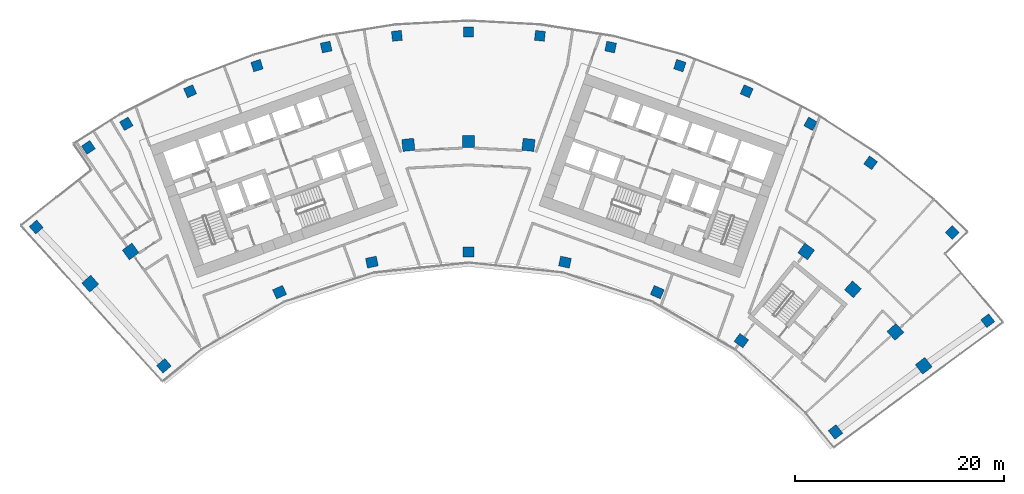
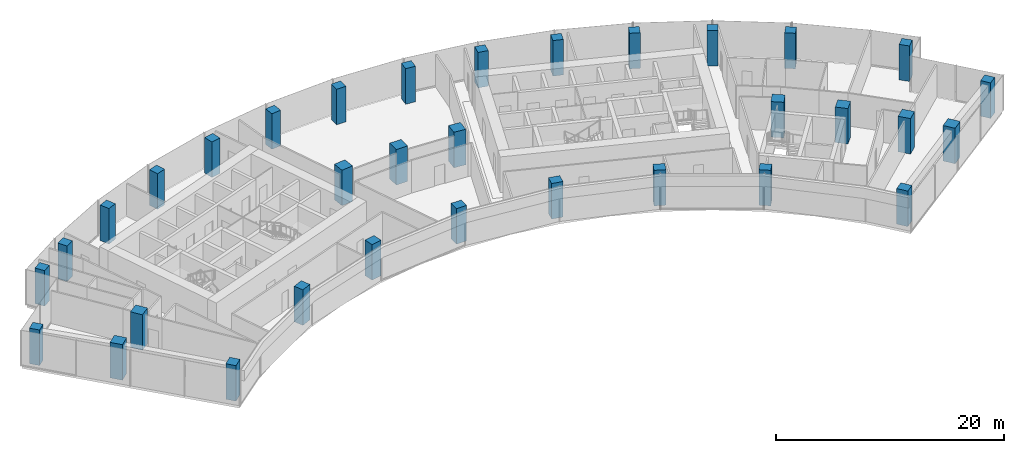
# One storey, part 1 of 17: 33 columns.
"""IFC4 building model written with IfcOpenShell, lengths in metres."""

from ifc_helpers import new_model, si_unit, direction, frame, origin, origin_2d, place, context, subcontext, project, spatial, rectangle, extrude, material, material_profile, profile_set, type_object, element, save


model = new_model("IFC4")

# Units and contexts
model_context = context("Model", 3, precision=1e-05, world=origin(), true_north=direction((0.0, 1.0)))
body_context = subcontext(model_context, "Body", "Model", "MODEL_VIEW")
ifc_project = project(units=[si_unit("LENGTHUNIT", "METRE"), si_unit("AREAUNIT", "SQUARE_METRE"), si_unit("VOLUMEUNIT", "CUBIC_METRE"), si_unit("PLANEANGLEUNIT", "RADIAN"), si_unit("MASSUNIT", "GRAM", prefix="KILO")], contexts=[model_context])

# Site, building, storey
site_placement = place(None, origin())
site = spatial("IfcSite", under=ifc_project, at=site_placement, CompositionType="ELEMENT")
building_placement = place(site_placement, origin())
building = spatial("IfcBuilding", under=site, at=building_placement, Name="Stone Belt Terrace Tower", CompositionType="ELEMENT")
storey_placement = place(building_placement, frame((0.0, 0.0, 231.39990234375)))
storey = spatial("IfcBuildingStorey", under=building, at=storey_placement, Name="L56", CompositionType="ELEMENT", Elevation=231.39990234375)

# Columns
ifc_material = material(Name="Concrete B60", Category="concrete")
ifc_material_profile_1 = material_profile(ifc_material, rectangle(XDim=1.050048828125, YDim=0.949951171875, at=origin_2d()), Name="RC 1050x950")
ifc_profile_set_1 = profile_set([ifc_material_profile_1], Name="Concrete B60")
column_type_1 = type_object("IfcColumnType", Name="Column RC 1050x950 B60", PredefinedType="COLUMN", material=ifc_profile_set_1)
for number, where, z_axis, x_axis, name in (
    (1, (-29.146728515625, 33.553466796875, 0.0), (0.0, 0.0, 1.0), (0.754940831195, 0.655792910448, 0.0), "Column L56 PA"),
    (2, (-18.077392578125, 40.6025390625, 0.0), (0.0, 0.0, 1.0), (0.913545457643, 0.406736643076, 0.0), "Column L56 P18"),
    (3, (-9.240478515625, 43.473876953125, 0.0), (0.0, 0.0, 1.0), (0.978147600734, 0.207911690818, 0.0), "Column L56 P20"),
    (4, (0.0, 44.445068359375, 0.0), (0.0, 0.0, 1.0), (1.0, 0.0, 0.0), "Column L56 P22"),
    (5, (9.240478515625, 43.473876953125, 0.0), (0.0, 0.0, 1.0), (0.978147600734, -0.207911690818, 0.0), "Column L56 P24"),
    (6, (18.077392578125, 40.6025390625, 0.0), (0.0, 0.0, 1.0), (0.913545457643, -0.406736643076, 0.0), "Column L56 P26"),
    (7, (26.1240234375, 35.956787109375, 0.0), (0.0, 0.0, 1.0), (0.809016994375, -0.587785252292, 0.0), "Column L56 P28"),
    (8, (35.133056640625, 27.221923828125, 0.0), (0.0, 0.0, 1.0), (0.612484967582, -0.790482235402, 0.0), "Column L56 PB"),
):
    element("IfcColumn", number, at=place(storey_placement, frame(where, z_axis=z_axis, x_axis=x_axis)), inside=storey, type_object=column_type_1, Name=name, PredefinedType="COLUMN", context=body_context, shape_type="SweptSolid", body=[
        extrude(rectangle(XDim=1.050048828125, YDim=0.949951171875, at=origin_2d()), origin(), (0.0, 0.0, 1.0), 3.800048828125),
    ])
ifc_material_profile_2 = material_profile(ifc_material, rectangle(XDim=1.14990234375, YDim=1.14990234375, at=origin_2d()), Name="RC 1150x1150")
ifc_profile_set_2 = profile_set([ifc_material_profile_2], Name="Concrete B60")
column_type_2 = type_object("IfcColumnType", Name="Column RC 1150x1150 B60", PredefinedType="COLUMN", material=ifc_profile_set_2)
for number, where, z_axis, x_axis, name in (
    (9, (-36.194580078125, 41.411865234375, 0.0), (0.0, 0.0, 1.0), (0.752943496139, 0.658085170493, 0.0), "Column L56 QA"),
    (10, (-32.328125, 44.495849609375, 0.0), (0.0, 0.0, 1.0), (0.809016994375, 0.587785252292, 0.0), "Column L56 Q16"),
    (11, (-5.7490234375, 54.69873046875, 0.0), (0.0, 0.0, 1.0), (0.994521895368, 0.104528463268, 0.0), "Column L56 Q21"),
    (12, (0.0, 55.0, 0.0), (0.0, 0.0, 1.0), (1.0, 0.0, 0.0), "Column L56 Q22"),
    (13, (5.7490234375, 54.69873046875, 0.0), (0.0, 0.0, 1.0), (0.994521895368, -0.104528463268, 0.0), "Column L56 Q23"),
    (14, (32.328125, 44.495849609375, 0.0), (0.0, 0.0, 1.0), (0.809016994375, -0.587785252292, 0.0), "Column L56 Q28"),
    (15, (36.80224609375, 40.873046875, 0.0), (0.0, 0.0, 1.0), (0.743144825477, -0.669130606359, 0.0), "Column L56 Q29"),
    (16, (40.873046875, 36.80224609375, 0.0), (0.0, 0.0, 1.0), (0.669130606359, -0.743144825477, 0.0), "Column L56 Q30"),
    (17, (43.57861328125, 33.55419921875, 0.0), (0.0, 0.0, 1.0), (0.610078787058, -0.792340755977, 0.0), "Column L56 QB"),
):
    element("IfcColumn", number, at=place(storey_placement, frame(where, z_axis=z_axis, x_axis=x_axis)), inside=storey, type_object=column_type_2, Name=name, PredefinedType="COLUMN", context=body_context, shape_type="SweptSolid", body=[
        extrude(rectangle(XDim=1.14990234375, YDim=1.14990234375, at=origin_2d()), origin(), (0.0, 0.0, 1.0), 3.800048828125),
    ])
ifc_material_profile_3 = material_profile(ifc_material, rectangle(XDim=0.949951171875, YDim=0.949951171875, at=origin_2d()), Name="RC 950x950")
ifc_profile_set_3 = profile_set([ifc_material_profile_3], Name="Concrete B60")
column_type_3 = type_object("IfcColumnType", Name="Column RC 950x950 B60", PredefinedType="COLUMN", material=ifc_profile_set_3)
for number, where, z_axis, x_axis, name in (
    (18, (-41.366455078125, 46.836669921875, 0.0), (0.0, 0.0, 1.0), (0.749519816259, 0.661981906879, 0.0), "Column L56 RA"),
    (19, (49.70947265625, 37.86572265625, 0.0), (0.0, 0.0, 1.0), (0.605960632634, -0.795494633356, 0.0), "Column L56 RB"),
    (20, (-36.369873046875, 54.461181640625, 0.0), (0.0, 0.0, 1.0), (0.831610185357, 0.555359792937, 0.0), "Column L56 RNA"),
    (21, (-32.744384765625, 56.715087890625, 0.0), (0.0, 0.0, 1.0), (0.866025403784, 0.5, 0.0), "Column L56 R17"),
    (22, (-26.63671875, 59.8271484375, 0.0), (0.0, 0.0, 1.0), (0.913545457643, 0.406736643076, 0.0), "Column L56 R18"),
    (23, (-20.2373046875, 62.28369140625, 0.0), (0.0, 0.0, 1.0), (0.951056516295, 0.309016994375, 0.0), "Column L56 R19"),
    (24, (-13.615966796875, 64.057861328125, 0.0), (0.0, 0.0, 1.0), (0.978147600734, 0.207911690818, 0.0), "Column L56 R20"),
    (25, (-6.845458984375, 65.130126953125, 0.0), (0.0, 0.0, 1.0), (0.994521895368, 0.104528463268, 0.0), "Column L56 R21"),
    (26, (0.0, 65.489013671875, 0.0), (0.0, 0.0, 1.0), (1.0, 0.0, 0.0), "Column L56 R22"),
    (27, (6.845458984375, 65.130126953125, 0.0), (0.0, 0.0, 1.0), (0.994521895368, -0.104528463268, 0.0), "Column L56 R23"),
    (28, (13.615966796875, 64.057861328125, 0.0), (0.0, 0.0, 1.0), (0.978147600734, -0.207911690818, 0.0), "Column L56 R24"),
    (29, (20.2373046875, 62.28369140625, 0.0), (0.0, 0.0, 1.0), (0.951056516295, -0.309016994375, 0.0), "Column L56 R25"),
    (30, (26.63671875, 59.8271484375, 0.0), (0.0, 0.0, 1.0), (0.913545457643, -0.406736643076, 0.0), "Column L56 R26"),
    (31, (32.744384765625, 56.715087890625, 0.0), (0.0, 0.0, 1.0), (0.866025403784, -0.5, 0.0), "Column L56 R27"),
    (32, (38.493408203125, 52.981689453125, 0.0), (0.0, 0.0, 1.0), (0.809016994375, -0.587785252292, 0.0), "Column L56 R28"),
    (33, (46.29638671875, 46.318603515625, 0.0), (0.0, 0.0, 1.0), (0.707275837349, -0.706937684596, 0.0), "Column L56 RNB"),
):
    element("IfcColumn", number, at=place(storey_placement, frame(where, z_axis=z_axis, x_axis=x_axis)), inside=storey, type_object=column_type_3, Name=name, PredefinedType="COLUMN", context=body_context, shape_type="SweptSolid", body=[
        extrude(rectangle(XDim=0.949951171875, YDim=0.949951171875, at=origin_2d()), origin(), (0.0, 0.0, 1.0), 3.800048828125),
    ])

save(model, "model.ifc")
